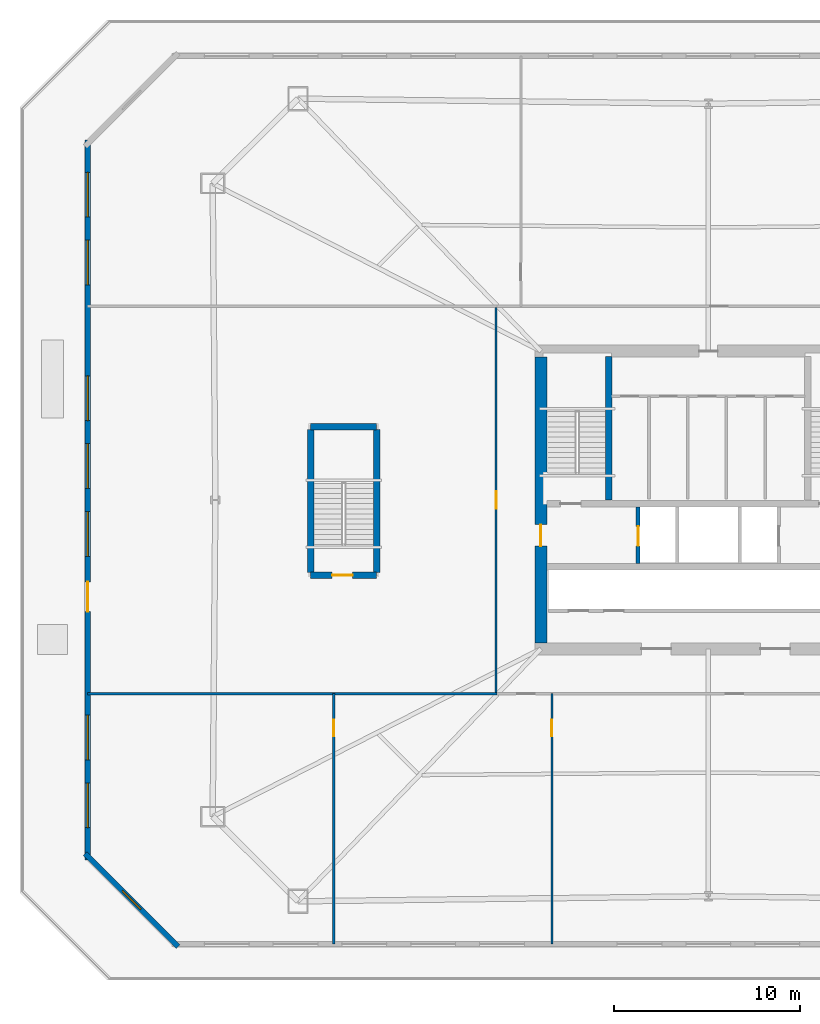
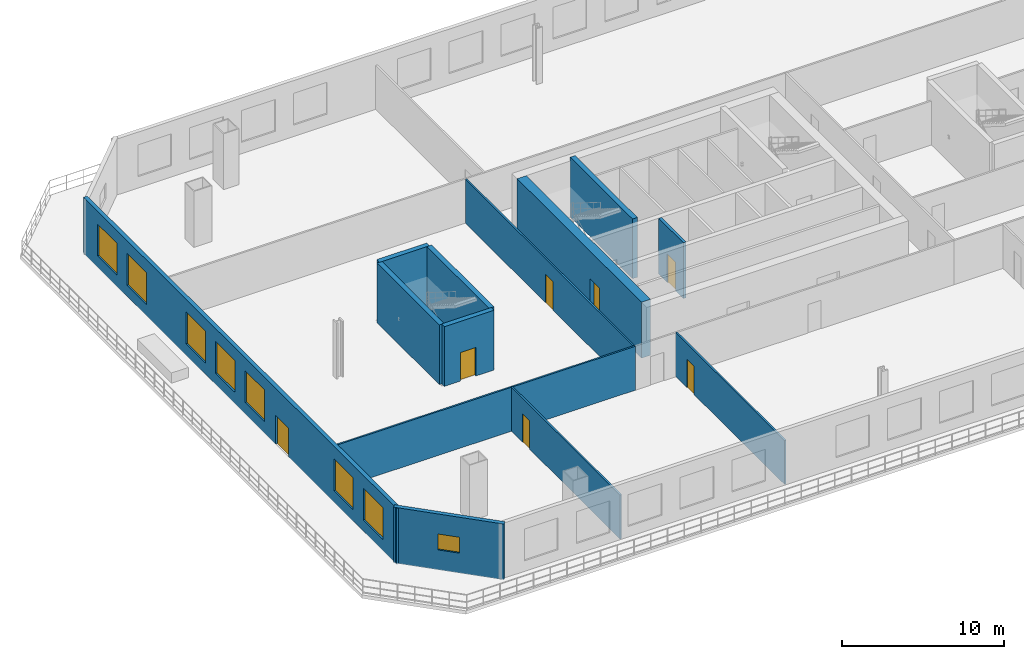
# One storey, part 2 of 10: 13 walls, 8 windows, 7 doors, 15 openings.
"""IFC4 building model written with IfcOpenShell, lengths in metres."""

from ifc_helpers import new_model, si_unit, direction, frame, frame_2d, origin, place, context, subcontext, project, spatial, rectangle, extrude, material, layer, layer_set, type_object, element, fill, save


model = new_model("IFC4")

# Units and contexts
model_context = context("Model", 3, precision=1e-05, world=origin(), true_north=direction((0.0, 1.0)))
body_context = subcontext(model_context, "Body", "Model", "MODEL_VIEW")
ifc_project = project(units=[si_unit("LENGTHUNIT", "METRE"), si_unit("AREAUNIT", "SQUARE_METRE"), si_unit("VOLUMEUNIT", "CUBIC_METRE"), si_unit("PLANEANGLEUNIT", "RADIAN"), si_unit("MASSUNIT", "GRAM", prefix="KILO")], contexts=[model_context])

# Site, building, storey
site_placement = place(None, origin())
site = spatial("IfcSite", under=ifc_project, at=site_placement, CompositionType="ELEMENT")
building_placement = place(site_placement, origin())
building = spatial("IfcBuilding", under=site, at=building_placement, Name="Caelvoria Tower", CompositionType="ELEMENT")
storey_placement = place(building_placement, frame((0.0, 0.0, 14.0)))
storey = spatial("IfcBuildingStorey", under=building, at=storey_placement, Name="L03", CompositionType="ELEMENT", Elevation=14.0)

# Wall
ifc_material_1 = material(Name="Concrete C50/60", Category="concrete")
ifc_layer_1 = layer(ifc_material_1, 0.35009765625, Name="Concrete C50/60")
ifc_layer_set_1 = layer_set([ifc_layer_1], Name="Core Internal Shear Wall 350 - Concrete C50/60")
wall_type_1 = type_object("IfcWallType", Name="Core Internal Shear Wall 350", PredefinedType="SHEAR", material=ifc_layer_set_1)
wall_1_placement = place(storey_placement, frame((40.64990234375, 32.0, 0.0), z_axis=(0.0, 0.0, 1.0), x_axis=(0.0, 1.0, 0.0)))
element("IfcWall", 1, at=wall_1_placement, inside=storey, type_object=wall_type_1, Name="Interior Partition IW-L03-ST1E", PredefinedType="SHEAR", context=body_context, shape_type="SweptSolid", body=[
    extrude(rectangle(XDim=7.699951171875, YDim=0.35009765625, at=frame_2d((3.85009765625, 0.0))), origin(), (0.0, 0.0, 1.0), 4.5),
])

# Wall, opening, door
wall_2_placement = place(storey_placement, frame((24.625, 27.949951171875, 0.0), z_axis=(0.0, 0.0, 1.0), x_axis=(1.0, 0.0, 0.0)))
wall_2 = element("IfcWall", 2, at=wall_2_placement, inside=storey, type_object=wall_type_1, Name="Podium Stair Shear Wall L03 ST3 S", PredefinedType="SHEAR", context=body_context, shape_type="SweptSolid", body=[
    extrude(rectangle(XDim=3.550048828125, YDim=0.35009765625, at=frame_2d((1.77490234375, 0.0))), origin(), (0.0, 0.0, 1.0), 4.5),
])
opening_1_placement = place(wall_2_placement, frame((1.14990234375, 0.0, 0.0)))
opening_1 = element("IfcOpeningElement", 3, at=opening_1_placement, cuts=wall_2, Name="Opening ID-01", PredefinedType="OPENING", context=body_context, shape_type="SweptSolid", body=[
    extrude(rectangle(XDim=1.10009765625, YDim=2.14990234375, at=frame_2d((0.550048828125, 1.074951171875))), frame((0.0, 0.18505859375, 0.0), z_axis=(0.0, -1.0, 0.0), x_axis=(1.0, 0.0, 0.0)), (0.0, 0.0, 1.0), 0.3701171875),
])
ifc_material_2 = material(Name="Painted Hollow Steel Fire Door", Category="steel")
door_type_1 = type_object("IfcDoorType", Name="Fire Door FD90S 1100x2150", OperationType="NOTDEFINED", PredefinedType="DOOR", material=ifc_material_2)
door_1_placement = place(opening_1_placement, origin())
door_1 = element("IfcDoor", 4, at=door_1_placement, inside=storey, type_object=door_type_1, Name="Podium Stair Door L03 ST3", OperationType="SINGLE_SWING_RIGHT", OverallHeight=2.14990234375, OverallWidth=1.10009765625, PredefinedType="DOOR", context=body_context, shape_type="SweptSolid", body=[
    extrude(rectangle(XDim=1.10009765625, YDim=2.14990234375, at=frame_2d((0.550048828125, 1.074951171875))), frame((0.0, 0.02490234375, 0.0), z_axis=(0.0, -1.0, 0.0), x_axis=(1.0, 0.0, 0.0)), (0.0, 0.0, 1.0), 0.050048828125),
])
fill(opening_1, door_1)

# Walls
wall_3_placement = place(storey_placement, frame((24.625, 35.949951171875, 0.0), z_axis=(0.0, 0.0, 1.0), x_axis=(1.0, 0.0, 0.0)))
element("IfcWall", 5, at=wall_3_placement, inside=storey, type_object=wall_type_1, Name="Podium Stair Shear Wall L03 ST3 N", PredefinedType="SHEAR", context=body_context, shape_type="SweptSolid", body=[
    extrude(rectangle(XDim=3.550048828125, YDim=0.35009765625, at=frame_2d((1.77490234375, 0.0))), origin(), (0.0, 0.0, 1.0), 4.5),
])
for number, where, z_axis, x_axis, name in (
    (6, (24.625, 28.10009765625, 0.0), (0.0, 0.0, 1.0), (0.0, 1.0, 0.0), "Podium Stair Shear Wall L03 ST3 W"),
    (7, (28.175048828125, 28.10009765625, 0.0), (0.0, 0.0, 1.0), (0.0, 1.0, 0.0), "Podium Stair Shear Wall L03 ST3 E"),
):
    element("IfcWall", number, at=place(storey_placement, frame(where, z_axis=z_axis, x_axis=x_axis)), inside=storey, type_object=wall_type_1, Name=name, PredefinedType="SHEAR", context=body_context, shape_type="SweptSolid", body=[
        extrude(rectangle(XDim=7.699951171875, YDim=0.35009765625, at=frame_2d((3.85009765625, 0.0))), origin(), (0.0, 0.0, 1.0), 4.5),
    ])

# Wall, openings, windows, door
ifc_material_3 = material(Name="Precast Concrete C40/50 with Bronze Cladding", Category="concrete")
ifc_layer_2 = layer(ifc_material_3, 0.280029296875, Name="Precast Concrete C40/50 with Bronze Cladding")
ifc_layer_set_2 = layer_set([ifc_layer_2], Name="Exterior Precast Concrete C40/50 Bronze-Clad Facade Wall 280 - Precast Concrete C40/50 with Bronze Cladding")
wall_type_2 = type_object("IfcWallType", Name="Exterior Precast Concrete C40/50 Bronze-Clad Facade Wall 280", PredefinedType="STANDARD", material=ifc_layer_set_2)
wall_4_placement = place(storey_placement, frame((12.639892578125, 51.340087890625, 0.0), z_axis=(0.0, 0.0, 1.0), x_axis=(0.0, -1.0, 0.0)))
wall_4 = element("IfcWall", 8, at=wall_4_placement, inside=storey, type_object=wall_type_2, Name="Exterior Facade Wall L03-E6", PredefinedType="STANDARD", context=body_context, shape_type="SweptSolid", body=[
    extrude(rectangle(XDim=38.68017578125, YDim=0.280029296875, at=frame_2d((19.340087890625, 0.0))), origin(), (0.0, 0.0, 1.0), 4.2099609375),
])
opening_2_placement = place(wall_4_placement, frame((23.739990234375, 0.0, 0.0)))
opening_2 = element("IfcOpeningElement", 9, at=opening_2_placement, cuts=wall_4, Name="Opening ED-03", PredefinedType="OPENING", context=body_context, shape_type="SweptSolid", body=[
    extrude(rectangle(XDim=1.60009765625, YDim=2.14990234375, at=frame_2d((0.800048828125, 1.074951171875))), frame((0.0, 0.14990234375, 0.0), z_axis=(0.0, -1.0, 0.0), x_axis=(1.0, 0.0, 0.0)), (0.0, 0.0, 1.0), 0.300048828125),
])
opening_3_placement = place(wall_4_placement, frame((1.72412109375, 0.0, 0.85009765625)))
opening_3 = element("IfcOpeningElement", 10, at=opening_3_placement, cuts=wall_4, Name="Opening WN-04", PredefinedType="OPENING", context=body_context, shape_type="SweptSolid", body=[
    extrude(rectangle(XDim=2.39990234375, YDim=2.39990234375, at=frame_2d((1.199951171875, 1.199951171875))), frame((0.0, 0.14990234375, 0.0), z_axis=(0.0, -1.0, 0.0), x_axis=(1.0, 0.0, 0.0)), (0.0, 0.0, 1.0), 0.300048828125),
])
opening_4_placement = place(wall_4_placement, frame((5.3720703125, 0.0, 0.85009765625)))
opening_4 = element("IfcOpeningElement", 11, at=opening_4_placement, cuts=wall_4, Name="Opening WN-04", PredefinedType="OPENING", context=body_context, shape_type="SweptSolid", body=[
    extrude(rectangle(XDim=2.39990234375, YDim=2.39990234375, at=frame_2d((1.199951171875, 1.199951171875))), frame((0.0, 0.14990234375, 0.0), z_axis=(0.0, -1.0, 0.0), x_axis=(1.0, 0.0, 0.0)), (0.0, 0.0, 1.0), 0.300048828125),
])
opening_5_placement = place(wall_4_placement, frame((12.66796875, 0.0, 0.85009765625)))
opening_5 = element("IfcOpeningElement", 12, at=opening_5_placement, cuts=wall_4, Name="Opening WN-04", PredefinedType="OPENING", context=body_context, shape_type="SweptSolid", body=[
    extrude(rectangle(XDim=2.39990234375, YDim=2.39990234375, at=frame_2d((1.199951171875, 1.199951171875))), frame((0.0, 0.14990234375, 0.0), z_axis=(0.0, -1.0, 0.0), x_axis=(1.0, 0.0, 0.0)), (0.0, 0.0, 1.0), 0.300048828125),
])
opening_6_placement = place(wall_4_placement, frame((16.31591796875, 0.0, 0.85009765625)))
opening_6 = element("IfcOpeningElement", 13, at=opening_6_placement, cuts=wall_4, Name="Opening WN-04", PredefinedType="OPENING", context=body_context, shape_type="SweptSolid", body=[
    extrude(rectangle(XDim=2.39990234375, YDim=2.39990234375, at=frame_2d((1.199951171875, 1.199951171875))), frame((0.0, 0.14990234375, 0.0), z_axis=(0.0, -1.0, 0.0), x_axis=(1.0, 0.0, 0.0)), (0.0, 0.0, 1.0), 0.300048828125),
])
opening_7_placement = place(wall_4_placement, frame((19.964111328125, 0.0, 0.85009765625)))
opening_7 = element("IfcOpeningElement", 14, at=opening_7_placement, cuts=wall_4, Name="Opening WN-04", PredefinedType="OPENING", context=body_context, shape_type="SweptSolid", body=[
    extrude(rectangle(XDim=2.39990234375, YDim=2.39990234375, at=frame_2d((1.199951171875, 1.199951171875))), frame((0.0, 0.14990234375, 0.0), z_axis=(0.0, -1.0, 0.0), x_axis=(1.0, 0.0, 0.0)), (0.0, 0.0, 1.0), 0.300048828125),
])
opening_8_placement = place(wall_4_placement, frame((30.907958984375, 0.0, 0.85009765625)))
opening_8 = element("IfcOpeningElement", 15, at=opening_8_placement, cuts=wall_4, Name="Opening WN-04", PredefinedType="OPENING", context=body_context, shape_type="SweptSolid", body=[
    extrude(rectangle(XDim=2.39990234375, YDim=2.39990234375, at=frame_2d((1.199951171875, 1.199951171875))), frame((0.0, 0.14990234375, 0.0), z_axis=(0.0, -1.0, 0.0), x_axis=(1.0, 0.0, 0.0)), (0.0, 0.0, 1.0), 0.300048828125),
])
opening_9_placement = place(wall_4_placement, frame((34.555908203125, 0.0, 0.85009765625)))
opening_9 = element("IfcOpeningElement", 16, at=opening_9_placement, cuts=wall_4, Name="Opening WN-04", PredefinedType="OPENING", context=body_context, shape_type="SweptSolid", body=[
    extrude(rectangle(XDim=2.39990234375, YDim=2.39990234375, at=frame_2d((1.199951171875, 1.199951171875))), frame((0.0, 0.14990234375, 0.0), z_axis=(0.0, -1.0, 0.0), x_axis=(1.0, 0.0, 0.0)), (0.0, 0.0, 1.0), 0.300048828125),
])
ifc_material_4 = material(Name="Low-E Tinted Glass in Bronze Aluminium Frame", Category="aluminium")
window_type_1 = type_object("IfcWindowType", Name="Podium Commercial Ribbon Window 2400x2400", PartitioningType="SINGLE_PANEL", PredefinedType="WINDOW", material=ifc_material_4)
window_1_placement = place(opening_3_placement, origin())
window_1 = element("IfcWindow", 17, at=window_1_placement, inside=storey, type_object=window_type_1, Name="Facade Window L03-E6-00", OverallHeight=2.39990234375, OverallWidth=2.39990234375, PartitioningType="SINGLE_PANEL", PredefinedType="WINDOW", context=body_context, shape_type="SweptSolid", body=[
    extrude(rectangle(XDim=2.39990234375, YDim=2.39990234375, at=frame_2d((1.199951171875, 1.199951171875))), frame((0.0, 0.030029296875, 0.0), z_axis=(0.0, -1.0, 0.0), x_axis=(1.0, 0.0, 0.0)), (0.0, 0.0, 1.0), 0.06005859375),
])
fill(opening_3, window_1)
window_2_placement = place(opening_4_placement, origin())
window_2 = element("IfcWindow", 18, at=window_2_placement, inside=storey, type_object=window_type_1, Name="Facade Window L03-E6-01", OverallHeight=2.39990234375, OverallWidth=2.39990234375, PartitioningType="SINGLE_PANEL", PredefinedType="WINDOW", context=body_context, shape_type="SweptSolid", body=[
    extrude(rectangle(XDim=2.39990234375, YDim=2.39990234375, at=frame_2d((1.199951171875, 1.199951171875))), frame((0.0, 0.030029296875, 0.0), z_axis=(0.0, -1.0, 0.0), x_axis=(1.0, 0.0, 0.0)), (0.0, 0.0, 1.0), 0.06005859375),
])
fill(opening_4, window_2)
window_3_placement = place(opening_5_placement, origin())
window_3 = element("IfcWindow", 19, at=window_3_placement, inside=storey, type_object=window_type_1, Name="Facade Window L03-E6-03", OverallHeight=2.39990234375, OverallWidth=2.39990234375, PartitioningType="SINGLE_PANEL", PredefinedType="WINDOW", context=body_context, shape_type="SweptSolid", body=[
    extrude(rectangle(XDim=2.39990234375, YDim=2.39990234375, at=frame_2d((1.199951171875, 1.199951171875))), frame((0.0, 0.030029296875, 0.0), z_axis=(0.0, -1.0, 0.0), x_axis=(1.0, 0.0, 0.0)), (0.0, 0.0, 1.0), 0.06005859375),
])
fill(opening_5, window_3)
window_4_placement = place(opening_6_placement, origin())
window_4 = element("IfcWindow", 20, at=window_4_placement, inside=storey, type_object=window_type_1, Name="Facade Window L03-E6-04", OverallHeight=2.39990234375, OverallWidth=2.39990234375, PartitioningType="SINGLE_PANEL", PredefinedType="WINDOW", context=body_context, shape_type="SweptSolid", body=[
    extrude(rectangle(XDim=2.39990234375, YDim=2.39990234375, at=frame_2d((1.199951171875, 1.199951171875))), frame((0.0, 0.030029296875, 0.0), z_axis=(0.0, -1.0, 0.0), x_axis=(1.0, 0.0, 0.0)), (0.0, 0.0, 1.0), 0.06005859375),
])
fill(opening_6, window_4)
window_5_placement = place(opening_7_placement, origin())
window_5 = element("IfcWindow", 21, at=window_5_placement, inside=storey, type_object=window_type_1, Name="Facade Window L03-E6-05", OverallHeight=2.39990234375, OverallWidth=2.39990234375, PartitioningType="SINGLE_PANEL", PredefinedType="WINDOW", context=body_context, shape_type="SweptSolid", body=[
    extrude(rectangle(XDim=2.39990234375, YDim=2.39990234375, at=frame_2d((1.199951171875, 1.199951171875))), frame((0.0, 0.030029296875, 0.0), z_axis=(0.0, -1.0, 0.0), x_axis=(1.0, 0.0, 0.0)), (0.0, 0.0, 1.0), 0.06005859375),
])
fill(opening_7, window_5)
window_6_placement = place(opening_8_placement, origin())
window_6 = element("IfcWindow", 22, at=window_6_placement, inside=storey, type_object=window_type_1, Name="Facade Window L03-E6-08", OverallHeight=2.39990234375, OverallWidth=2.39990234375, PartitioningType="SINGLE_PANEL", PredefinedType="WINDOW", context=body_context, shape_type="SweptSolid", body=[
    extrude(rectangle(XDim=2.39990234375, YDim=2.39990234375, at=frame_2d((1.199951171875, 1.199951171875))), frame((0.0, 0.030029296875, 0.0), z_axis=(0.0, -1.0, 0.0), x_axis=(1.0, 0.0, 0.0)), (0.0, 0.0, 1.0), 0.06005859375),
])
fill(opening_8, window_6)
window_7_placement = place(opening_9_placement, origin())
window_7 = element("IfcWindow", 23, at=window_7_placement, inside=storey, type_object=window_type_1, Name="Facade Window L03-E6-09", OverallHeight=2.39990234375, OverallWidth=2.39990234375, PartitioningType="SINGLE_PANEL", PredefinedType="WINDOW", context=body_context, shape_type="SweptSolid", body=[
    extrude(rectangle(XDim=2.39990234375, YDim=2.39990234375, at=frame_2d((1.199951171875, 1.199951171875))), frame((0.0, 0.030029296875, 0.0), z_axis=(0.0, -1.0, 0.0), x_axis=(1.0, 0.0, 0.0)), (0.0, 0.0, 1.0), 0.06005859375),
])
fill(opening_9, window_7)
ifc_material_5 = material(Name="Anodised Bronze Aluminium and Laminated Glass", Category="aluminium")
door_type_2 = type_object("IfcDoorType", Name="Terrace Garden Double Glazed Door 1600x2150", OperationType="NOTDEFINED", PredefinedType="DOOR", material=ifc_material_5)
door_2_placement = place(opening_2_placement, origin())
door_2 = element("IfcDoor", 24, at=door_2_placement, inside=storey, type_object=door_type_2, Name="Terrace Roof Garden Door L03-W", OperationType="DOUBLE_DOOR_SINGLE_SWING", OverallHeight=2.14990234375, OverallWidth=1.60009765625, PredefinedType="DOOR", context=body_context, shape_type="SweptSolid", body=[
    extrude(rectangle(XDim=1.60009765625, YDim=2.14990234375, at=frame_2d((0.800048828125, 1.074951171875))), frame((0.0, 0.02490234375, 0.0), z_axis=(0.0, -1.0, 0.0), x_axis=(1.0, 0.0, 0.0)), (0.0, 0.0, 1.0), 0.050048828125),
])
fill(opening_2, door_2)

# Wall, opening, window
wall_5_placement = place(storey_placement, frame((12.5, 12.998046875, 0.0), z_axis=(0.0, 0.0, 1.0), x_axis=(0.707106781187, -0.707106781187, 0.0)))
wall_5 = element("IfcWall", 25, at=wall_5_placement, inside=storey, type_object=wall_type_2, Name="Exterior Facade Wall L03-E7", PredefinedType="STANDARD", context=body_context, shape_type="SweptSolid", body=[
    extrude(rectangle(XDim=7.068359375, YDim=0.280029296875, at=frame_2d((3.5341796875, 0.0))), origin(), (0.0, 0.0, 1.0), 4.2099609375),
])
opening_10_placement = place(wall_5_placement, frame((2.833984375, 0.0, 1.5)))
opening_10 = element("IfcOpeningElement", 26, at=opening_10_placement, cuts=wall_5, Name="Opening WN-06", PredefinedType="OPENING", context=body_context, shape_type="SweptSolid", body=[
    extrude(rectangle(XDim=1.39990234375, YDim=1.199951171875, at=frame_2d((0.699951171875, 0.60009765625))), frame((0.0, 0.14990234375, 0.0), z_axis=(0.0, -1.0, 0.0), x_axis=(1.0, 0.0, 0.0)), (0.0, 0.0, 1.0), 0.300048828125),
])
window_type_2 = type_object("IfcWindowType", Name="Podium Clerestory Window 1400x1200", PartitioningType="SINGLE_PANEL", PredefinedType="WINDOW", material=ifc_material_4)
window_8_placement = place(opening_10_placement, origin())
window_8 = element("IfcWindow", 27, at=window_8_placement, inside=storey, type_object=window_type_2, Name="Facade Window L03-E7-00", OverallHeight=1.199951171875, OverallWidth=1.39990234375, PartitioningType="SINGLE_PANEL", PredefinedType="WINDOW", context=body_context, shape_type="SweptSolid", body=[
    extrude(rectangle(XDim=1.39990234375, YDim=1.199951171875, at=frame_2d((0.699951171875, 0.60009765625))), frame((0.0, 0.030029296875, 0.0), z_axis=(0.0, -1.0, 0.0), x_axis=(1.0, 0.0, 0.0)), (0.0, 0.0, 1.0), 0.06005859375),
])
fill(opening_10, window_8)

# Wall, opening, door
ifc_material_6 = material(Name="Concrete Block and Fireboard Assembly", Category="concrete")
ifc_layer_3 = layer(ifc_material_6, 0.199951171875, Name="Concrete Block and Fireboard Assembly")
ifc_layer_set_3 = layer_set([ifc_layer_3], Name="Fire-Rated Shaft and Core Partition Wall 200 - Concrete Block and Fireboard Assembly")
wall_type_3 = type_object("IfcWallType", Name="Fire-Rated Shaft and Core Partition Wall 200", PredefinedType="PARTITIONING", material=ifc_layer_set_3)
wall_6_placement = place(storey_placement, frame((42.219970703125, 28.580078125, 0.0), z_axis=(0.0, 0.0, 1.0), x_axis=(0.0, 1.0, 0.0)))
wall_6 = element("IfcWall", 28, at=wall_6_placement, inside=storey, type_object=wall_type_3, Name="Interior Partition IW-L03-LF1W", PredefinedType="PARTITIONING", context=body_context, shape_type="SweptSolid", body=[
    extrude(rectangle(XDim=3.0400390625, YDim=0.199951171875, at=frame_2d((1.52001953125, 0.0))), origin(), (0.0, 0.0, 1.0), 4.2099609375),
])
opening_11_placement = place(wall_6_placement, frame((0.949951171875, 0.0, 0.0)))
opening_11 = element("IfcOpeningElement", 29, at=opening_11_placement, cuts=wall_6, Name="Opening LD-01", PredefinedType="OPENING", context=body_context, shape_type="SweptSolid", body=[
    extrude(rectangle(XDim=1.050048828125, YDim=2.14990234375, at=frame_2d((0.52490234375, 1.074951171875))), frame((0.0, 0.10986328125, 0.0), z_axis=(0.0, -1.0, 0.0), x_axis=(1.0, 0.0, 0.0)), (0.0, 0.0, 1.0), 0.219970703125),
])
ifc_material_7 = material(Name="Brushed Bronze Stainless Sliding Landing Door", Category="aluminium")
door_type_3 = type_object("IfcDoorType", Name="Lift Landing Sliding Door 1100x2150", OperationType="NOTDEFINED", PredefinedType="DOOR", material=ifc_material_7)
door_3_placement = place(opening_11_placement, origin())
door_3 = element("IfcDoor", 30, at=door_3_placement, inside=storey, type_object=door_type_3, Name="Interior Door LD-L03-LF1", OperationType="SLIDING_TO_LEFT", OverallHeight=2.14990234375, OverallWidth=1.050048828125, PredefinedType="DOOR", context=body_context, shape_type="SweptSolid", body=[
    extrude(rectangle(XDim=1.050048828125, YDim=2.14990234375, at=frame_2d((0.52490234375, 1.074951171875))), frame((0.0, 0.02490234375, 0.0), z_axis=(0.0, -1.0, 0.0), x_axis=(1.0, 0.0, 0.0)), (0.0, 0.0, 1.0), 0.050048828125),
])
fill(opening_11, door_3)

ifc_material_8 = material(Name="Concrete C60/75", Category="concrete")
ifc_layer_4 = layer(ifc_material_8, 0.64990234375, Name="Concrete C60/75")
ifc_layer_set_4 = layer_set([ifc_layer_4], Name="Lower Core Shear Wall 650 - Concrete C60/75")
wall_type_4 = type_object("IfcWallType", Name="Lower Core Shear Wall 650", PredefinedType="SHEAR", material=ifc_layer_set_4)
wall_7_placement = place(storey_placement, frame((37.0, 24.324951171875, 0.0), z_axis=(0.0, 0.0, 1.0), x_axis=(0.0, 1.0, 0.0)))
wall_7 = element("IfcWall", 31, at=wall_7_placement, inside=storey, type_object=wall_type_4, Name="Core Shear Wall L03 W", PredefinedType="SHEAR", context=body_context, shape_type="SweptSolid", body=[
    extrude(rectangle(XDim=15.35009765625, YDim=0.64990234375, at=frame_2d((7.675048828125, 0.0))), origin(), (0.0, 0.0, 1.0), 4.219970703125),
])
opening_12_placement = place(wall_7_placement, frame((5.199951171875, 0.0, 0.0)))
opening_12 = element("IfcOpeningElement", 32, at=opening_12_placement, cuts=wall_7, Name="Opening ID-02", PredefinedType="OPENING", context=body_context, shape_type="SweptSolid", body=[
    extrude(rectangle(XDim=1.14990234375, YDim=2.14990234375, at=frame_2d((0.574951171875, 1.074951171875))), frame((0.0, 0.3349609375, 0.0), z_axis=(0.0, -1.0, 0.0), x_axis=(1.0, 0.0, 0.0)), (0.0, 0.0, 1.0), 0.669921875),
])
door_type_4 = type_object("IfcDoorType", Name="Fire Door FD60S 1150x2150", OperationType="NOTDEFINED", PredefinedType="DOOR", material=ifc_material_2)
door_4_placement = place(opening_12_placement, origin())
door_4 = element("IfcDoor", 33, at=door_4_placement, inside=storey, type_object=door_type_4, Name="Core Door DR-L03-FFLW-OUT", OperationType="SINGLE_SWING_LEFT", OverallHeight=2.14990234375, OverallWidth=1.14990234375, PredefinedType="DOOR", context=body_context, shape_type="SweptSolid", body=[
    extrude(rectangle(XDim=1.14990234375, YDim=2.14990234375, at=frame_2d((0.574951171875, 1.074951171875))), frame((0.0, 0.02490234375, 0.0), z_axis=(0.0, -1.0, 0.0), x_axis=(1.0, 0.0, 0.0)), (0.0, 0.0, 1.0), 0.050048828125),
])
fill(opening_12, door_4)

ifc_material_9 = material(Name="Acoustic Timber-Clad Operable Panel", Category="wood")
ifc_layer_5 = layer(ifc_material_9, 0.125, Name="Acoustic Timber-Clad Operable Panel")
ifc_layer_set_5 = layer_set([ifc_layer_5], Name="Operable Acoustic Folding Partition Wall 125 - Acoustic Timber-Clad Operable Panel")
wall_type_5 = type_object("IfcWallType", Name="Operable Acoustic Folding Partition Wall 125", PredefinedType="MOVABLE", material=ifc_layer_set_5)
wall_8_placement = place(storey_placement, frame((25.86181640625, 21.590087890625, 0.0), z_axis=(0.0, 0.0, 1.0), x_axis=(0.0, -1.0, 0.0)))
wall_8 = element("IfcWall", 34, at=wall_8_placement, inside=storey, type_object=wall_type_5, Name="Interior Partition IW-L03-SD-00-0", PredefinedType="MOVABLE", context=body_context, shape_type="SweptSolid", body=[
    extrude(rectangle(XDim=13.4501953125, YDim=0.1201171875, at=frame_2d((6.72509765625, 0.0))), origin(), (0.0, 0.0, 1.0), 3.31005859375),
])
opening_13_placement = place(wall_8_placement, frame((1.39990234375, 0.0, 0.0)))
opening_13 = element("IfcOpeningElement", 35, at=opening_13_placement, cuts=wall_8, Name="Opening ID-06", PredefinedType="OPENING", context=body_context, shape_type="SweptSolid", body=[
    extrude(rectangle(XDim=0.89990234375, YDim=2.14990234375, at=frame_2d((0.449951171875, 1.074951171875))), frame((0.0, 0.070068359375, 0.0), z_axis=(0.0, -1.0, 0.0), x_axis=(1.0, 0.0, 0.0)), (0.0, 0.0, 1.0), 0.14013671875),
])
ifc_material_10 = material(Name="Engineered Andean Oak Veneer Door", Category="wood")
door_type_5 = type_object("IfcDoorType", Name="Interior Timber Door 900x2150", OperationType="NOTDEFINED", PredefinedType="DOOR", material=ifc_material_10)
door_5_placement = place(opening_13_placement, origin())
door_5 = element("IfcDoor", 36, at=door_5_placement, inside=storey, type_object=door_type_5, Name="Interior Door DR-L03-SM-00-0", OperationType="SINGLE_SWING_RIGHT", OverallHeight=2.14990234375, OverallWidth=0.89990234375, PredefinedType="DOOR", context=body_context, shape_type="SweptSolid", body=[
    extrude(rectangle(XDim=0.89990234375, YDim=2.14990234375, at=frame_2d((0.449951171875, 1.074951171875))), frame((0.0, 0.02490234375, 0.0), z_axis=(0.0, -1.0, 0.0), x_axis=(1.0, 0.0, 0.0)), (0.0, 0.0, 1.0), 0.050048828125),
])
fill(opening_13, door_5)

ifc_material_11 = material(Name="Acoustic Gypsum Board on Light-Gauge Stud", Category="gypsum")
ifc_layer_6 = layer(ifc_material_11, 0.1201171875, Name="Acoustic Gypsum Board on Light-Gauge Stud")
ifc_layer_set_6 = layer_set([ifc_layer_6], Name="Tenant Suite Acoustic Partition Wall 120 - Acoustic Gypsum Board on Light-Gauge Stud")
wall_type_6 = type_object("IfcWallType", Name="Tenant Suite Acoustic Partition Wall 120", PredefinedType="PARTITIONING", material=ifc_layer_set_6)
wall_9_placement = place(storey_placement, frame((37.58837890625, 21.590087890625, 0.0), z_axis=(0.0, 0.0, 1.0), x_axis=(0.0, -1.0, 0.0)))
wall_9 = element("IfcWall", 37, at=wall_9_placement, inside=storey, type_object=wall_type_6, Name="Interior Partition IW-L03-SD-01-0", PredefinedType="PARTITIONING", context=body_context, shape_type="SweptSolid", body=[
    extrude(rectangle(XDim=13.4501953125, YDim=0.1201171875, at=frame_2d((6.72509765625, 0.0))), origin(), (0.0, 0.0, 1.0), 3.31005859375),
])
opening_14_placement = place(wall_9_placement, frame((1.39990234375, 0.0, 0.0)))
opening_14 = element("IfcOpeningElement", 38, at=opening_14_placement, cuts=wall_9, Name="Opening ID-06", PredefinedType="OPENING", context=body_context, shape_type="SweptSolid", body=[
    extrude(rectangle(XDim=0.89990234375, YDim=2.14990234375, at=frame_2d((0.449951171875, 1.074951171875))), frame((0.0, 0.070068359375, 0.0), z_axis=(0.0, -1.0, 0.0), x_axis=(1.0, 0.0, 0.0)), (0.0, 0.0, 1.0), 0.14013671875),
])
door_6_placement = place(opening_14_placement, origin())
door_6 = element("IfcDoor", 39, at=door_6_placement, inside=storey, type_object=door_type_5, Name="Interior Door DR-L03-SM-01-0", OperationType="SINGLE_SWING_LEFT", OverallHeight=2.14990234375, OverallWidth=0.89990234375, PredefinedType="DOOR", context=body_context, shape_type="SweptSolid", body=[
    extrude(rectangle(XDim=0.89990234375, YDim=2.14990234375, at=frame_2d((0.449951171875, 1.074951171875))), frame((0.0, 0.02490234375, 0.0), z_axis=(0.0, -1.0, 0.0), x_axis=(1.0, 0.0, 0.0)), (0.0, 0.0, 1.0), 0.050048828125),
])
fill(opening_14, door_6)

wall_10_placement = place(storey_placement, frame((34.590087890625, 21.64990234375, 0.0), z_axis=(0.0, 0.0, 1.0), x_axis=(0.0, 1.0, 0.0)))
wall_10 = element("IfcWall", 40, at=wall_10_placement, inside=storey, type_object=wall_type_6, Name="Interior Partition IW-L03-WCW-0", PredefinedType="PARTITIONING", context=body_context, shape_type="SweptSolid", body=[
    extrude(rectangle(XDim=20.7001953125, YDim=0.1201171875, at=frame_2d((10.35009765625, 0.0))), origin(), (0.0, 0.0, 1.0), 3.31005859375),
])
opening_15_placement = place(wall_10_placement, frame((9.875, 0.0, 0.0)))
opening_15 = element("IfcOpeningElement", 41, at=opening_15_placement, cuts=wall_10, Name="Opening ID-05", PredefinedType="OPENING", context=body_context, shape_type="SweptSolid", body=[
    extrude(rectangle(XDim=0.949951171875, YDim=2.14990234375, at=frame_2d((0.47509765625, 1.074951171875))), frame((0.0, 0.070068359375, 0.0), z_axis=(0.0, -1.0, 0.0), x_axis=(1.0, 0.0, 0.0)), (0.0, 0.0, 1.0), 0.14013671875),
])
door_type_6 = type_object("IfcDoorType", Name="Interior Timber Door 950x2150", OperationType="NOTDEFINED", PredefinedType="DOOR", material=ifc_material_10)
door_7_placement = place(opening_15_placement, origin())
door_7 = element("IfcDoor", 42, at=door_7_placement, inside=storey, type_object=door_type_6, Name="Interior Door DR-L03-WC-00-0", OperationType="SINGLE_SWING_RIGHT", OverallHeight=2.14990234375, OverallWidth=0.949951171875, PredefinedType="DOOR", context=body_context, shape_type="SweptSolid", body=[
    extrude(rectangle(XDim=0.949951171875, YDim=2.14990234375, at=frame_2d((0.47509765625, 1.074951171875))), frame((0.0, 0.02490234375, 0.0), z_axis=(0.0, -1.0, 0.0), x_axis=(1.0, 0.0, 0.0)), (0.0, 0.0, 1.0), 0.050048828125),
])
fill(opening_15, door_7)

# Wall
wall_11_placement = place(storey_placement, frame((34.64990234375, 21.590087890625, 0.0), z_axis=(0.0, 0.0, 1.0), x_axis=(-1.0, 0.0, 0.0)))
element("IfcWall", 43, at=wall_11_placement, inside=storey, type_object=wall_type_6, Name="Interior Partition IW-L03-BSW-0", PredefinedType="PARTITIONING", context=body_context, shape_type="SweptSolid", body=[
    extrude(rectangle(XDim=22.010009765625, YDim=0.1201171875, at=frame_2d((11.0048828125, 0.0))), origin(), (0.0, 0.0, 1.0), 3.31005859375),
])

save(model, "model.ifc")
